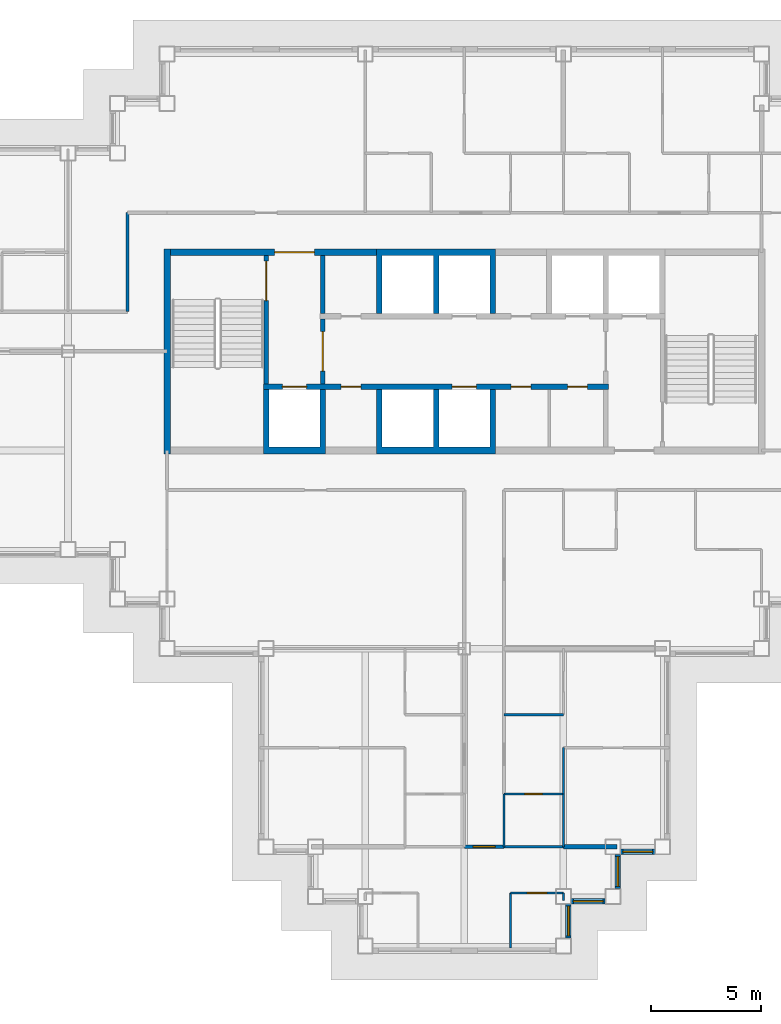
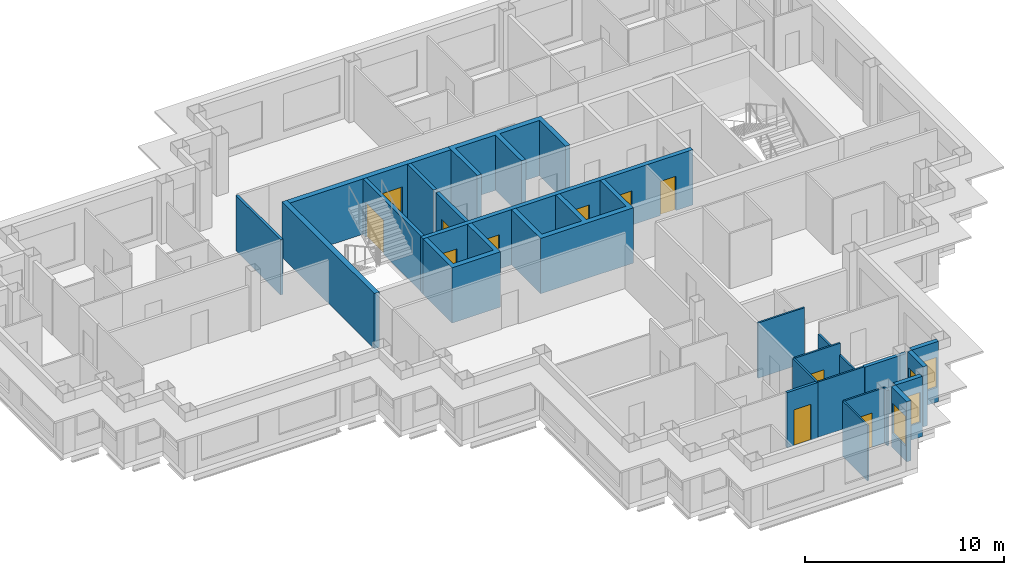
# One storey, part 4 of 12: 25 walls, 11 doors, 4 windows, 15 openings.
"""IFC4 building model written with IfcOpenShell, lengths in metres."""

from ifc_helpers import new_model, si_unit, direction, frame, frame_2d, origin, place, context, subcontext, project, spatial, polyline, rectangle, outline, extrude, material, layer, layer_set, type_object, element, fill, save


model = new_model("IFC4")

# Units and contexts
model_context = context("Model", 3, precision=1e-05, world=origin(), true_north=direction((0.0, 1.0)))
body_context = subcontext(model_context, "Body", "Model", "MODEL_VIEW")
ifc_project = project(units=[si_unit("LENGTHUNIT", "METRE"), si_unit("AREAUNIT", "SQUARE_METRE"), si_unit("VOLUMEUNIT", "CUBIC_METRE"), si_unit("PLANEANGLEUNIT", "RADIAN"), si_unit("MASSUNIT", "GRAM", prefix="KILO")], contexts=[model_context])

# Site, building, storey
site_placement = place(None, origin())
site = spatial("IfcSite", under=ifc_project, at=site_placement, CompositionType="ELEMENT")
building_placement = place(site_placement, origin())
building = spatial("IfcBuilding", under=site, at=building_placement, Name="Caravel Reach Hotel and Residences", CompositionType="ELEMENT")
storey_placement = place(building_placement, frame((0.0, 0.0, 196.10009765625)))
storey = spatial("IfcBuildingStorey", under=building, at=storey_placement, Name="L49", CompositionType="ELEMENT", Elevation=196.10009765625)

# Wall
ifc_material_1 = material(Name="Gypsum board on steel stud", Category="steel")
ifc_layer_1 = layer(ifc_material_1, 0.10009765625)
ifc_layer_set_1 = layer_set([ifc_layer_1], Name="Bathroom pod wall 100 mm")
wall_type_1 = type_object("IfcWallType", Name="Bathroom pod wall 100 mm", PredefinedType="PARTITIONING", material=ifc_layer_set_1)
wall_1_placement = place(storey_placement, frame((33.300048828125, 4.5, 0.0), z_axis=(0.0, 0.0, 1.0), x_axis=(1.0, 0.0, 0.0)))
element("IfcWall", 1, at=wall_1_placement, inside=storey, type_object=wall_type_1, Name="L49 wall w088", PredefinedType="PARTITIONING", context=body_context, shape_type="SweptSolid", body=[
    extrude(rectangle(XDim=2.699951171875, YDim=0.10009765625, at=frame_2d((1.35009765625, 0.0))), origin(), (0.0, 0.0, 1.0), 3.39990234375),
])

# Wall, opening, door
wall_2_placement = place(storey_placement, frame((33.300048828125, 6.89990234375, 0.0), z_axis=(0.0, 0.0, 1.0), x_axis=(1.0, 0.0, 0.0)))
wall_2 = element("IfcWall", 2, at=wall_2_placement, inside=storey, type_object=wall_type_1, Name="L49 wall w090", PredefinedType="PARTITIONING", context=body_context, shape_type="SweptSolid", body=[
    extrude(rectangle(XDim=2.699951171875, YDim=0.10009765625, at=frame_2d((1.35009765625, 0.0))), origin(), (0.0, 0.0, 1.0), 3.39990234375),
])
opening_1_placement = place(wall_2_placement, frame((0.949951171875, 0.0, 0.0)))
opening_1 = element("IfcOpeningElement", 3, at=opening_1_placement, cuts=wall_2, Name="Opening D49-040", PredefinedType="OPENING", context=body_context, shape_type="SweptSolid", body=[
    extrude(rectangle(XDim=0.800048828125, YDim=2.10009765625, at=frame_2d((0.39990234375, 1.050048828125))), frame((0.0, 0.06005859375, 0.0), z_axis=(0.0, -1.0, 0.0), x_axis=(1.0, 0.0, 0.0)), (0.0, 0.0, 1.0), 0.1201171875),
])
ifc_material_2 = material(Name="Timber and steel door leaf", Category="steel")
door_type_1 = type_object("IfcDoorType", Name="Bathroom door 800 x 2100", OperationType="SINGLE_SWING_LEFT", PredefinedType="DOOR", material=ifc_material_2)
door_1_placement = place(opening_1_placement, origin())
door_1 = element("IfcDoor", 4, at=door_1_placement, inside=storey, type_object=door_type_1, Name="door D49-040", OperationType="SINGLE_SWING_LEFT", OverallHeight=2.10009765625, OverallWidth=0.800048828125, PredefinedType="DOOR", context=body_context, shape_type="SweptSolid", body=[
    extrude(rectangle(XDim=0.800048828125, YDim=2.10009765625, at=frame_2d((0.39990234375, 1.050048828125))), frame((0.0, 0.02490234375, 0.0), z_axis=(0.0, -1.0, 0.0), x_axis=(1.0, 0.0, 0.0)), (0.0, 0.0, 1.0), 0.050048828125),
])
fill(opening_1, door_1)

# Walls
wall_3_placement = place(storey_placement, frame((33.300048828125, 4.5, 0.0), z_axis=(0.0, 0.0, 1.0), x_axis=(0.0, 1.0, 0.0)))
element("IfcWall", 5, at=wall_3_placement, inside=storey, type_object=wall_type_1, Name="L49 wall w097", PredefinedType="PARTITIONING", context=body_context, shape_type="SweptSolid", body=[
    extrude(rectangle(XDim=2.39990234375, YDim=0.10009765625, at=frame_2d((1.199951171875, 0.0))), origin(), (0.0, 0.0, 1.0), 3.39990234375),
])
wall_4_placement = place(storey_placement, frame((36.0, 4.5, 0.0), z_axis=(0.0, 0.0, 1.0), x_axis=(0.0, 1.0, 0.0)))
element("IfcWall", 6, at=wall_4_placement, inside=storey, type_object=wall_type_1, Name="L49 wall w100", PredefinedType="PARTITIONING", context=body_context, shape_type="SweptSolid", body=[
    extrude(rectangle(XDim=2.39990234375, YDim=0.10009765625, at=frame_2d((1.199951171875, 0.0))), origin(), (0.0, 0.0, 1.0), 2.679931640625),
])
ifc_material_3 = material(Name="Autoclaved aerated block wall")
ifc_layer_2 = layer(ifc_material_3, 0.199951171875)
ifc_layer_set_2 = layer_set([ifc_layer_2], Name="Compartment wall 200 mm EI 120")
wall_type_2 = type_object("IfcWallType", Name="Compartment wall 200 mm EI 120", PredefinedType="PARTITIONING", material=ifc_layer_set_2)
wall_5_placement = place(storey_placement, frame((25.071533203125, 28.72509765625, 0.0), z_axis=(0.0, 0.0, 1.0), x_axis=(0.0, 1.0, 0.0)))
element("IfcWall", 7, at=wall_5_placement, inside=storey, type_object=wall_type_2, Name="L49 store partition", PredefinedType="PARTITIONING", context=body_context, shape_type="SweptSolid", body=[
    extrude(rectangle(XDim=2.625, YDim=0.199951171875, at=frame_2d((1.3125, 0.0))), origin(), (0.0, 0.0, 1.0), 3.39990234375),
])

# Wall, opening, door
ifc_material_4 = material(Name="Concrete C60", Category="concrete")
ifc_layer_3 = layer(ifc_material_4, 0.300048828125)
ifc_layer_set_3 = layer_set([ifc_layer_3], Name="Core wall 300 mm EI 120")
wall_type_3 = type_object("IfcWallType", Name="Core wall 300 mm EI 120", PredefinedType="SHEAR", material=ifc_layer_set_3)
wall_6_placement = place(storey_placement, frame((18.14990234375, 31.5, 0.0), z_axis=(0.0, 0.0, 1.0), x_axis=(1.0, 0.0, 0.0)))
wall_6 = element("IfcWall", 8, at=wall_6_placement, inside=storey, type_object=wall_type_3, Name="L49 core wall N1", PredefinedType="SHEAR", context=body_context, shape_type="SweptSolid", body=[
    extrude(rectangle(XDim=9.367919921875, YDim=0.300048828125, at=frame_2d((4.68408203125, 0.0))), origin(), (0.0, 0.0, 1.0), 3.39990234375),
])
opening_2_placement = place(wall_6_placement, frame((4.735595703125, 0.0, 0.0)))
opening_2 = element("IfcOpeningElement", 9, at=opening_2_placement, cuts=wall_6, Name="Opening D49-015", PredefinedType="OPENING", context=body_context, shape_type="SweptSolid", body=[
    extrude(rectangle(XDim=1.800048828125, YDim=2.10009765625, at=frame_2d((0.89990234375, 1.050048828125))), frame((0.0, 0.159912109375, 0.0), z_axis=(0.0, -1.0, 0.0), x_axis=(1.0, 0.0, 0.0)), (0.0, 0.0, 1.0), 0.320068359375),
])
ifc_material_5 = material(Name="Steel fire door leaf", Category="steel")
door_type_2 = type_object("IfcDoorType", Name="Fire lobby door pair 1800 x 2100 EI 90", OperationType="DOUBLE_DOOR_SINGLE_SWING", PredefinedType="DOOR", material=ifc_material_5)
door_2_placement = place(opening_2_placement, origin())
door_2 = element("IfcDoor", 10, at=door_2_placement, inside=storey, type_object=door_type_2, Name="lobby N door pair to corridor", OperationType="DOUBLE_DOOR_SINGLE_SWING", OverallHeight=2.10009765625, OverallWidth=1.800048828125, PredefinedType="DOOR", context=body_context, shape_type="SweptSolid", body=[
    extrude(rectangle(XDim=1.800048828125, YDim=2.10009765625, at=frame_2d((0.89990234375, 1.050048828125))), frame((0.0, 0.02490234375, 0.0), z_axis=(0.0, -1.0, 0.0), x_axis=(1.0, 0.0, 0.0)), (0.0, 0.0, 1.0), 0.050048828125),
])
fill(opening_2, door_2)

# Wall
wall_7_placement = place(storey_placement, frame((18.0, 22.35009765625, 0.0), z_axis=(0.0, 0.0, 1.0), x_axis=(0.0, 1.0, 0.0)))
element("IfcWall", 11, at=wall_7_placement, inside=storey, type_object=wall_type_3, Name="L49 core wall W", PredefinedType="SHEAR", context=body_context, shape_type="SweptSolid", body=[
    extrude(rectangle(XDim=9.2998046875, YDim=0.300048828125, at=frame_2d((4.64990234375, 0.0))), origin(), (0.0, 0.0, 1.0), 3.39990234375),
])

# Wall, opening, door
ifc_material_6 = material(Name="Gypsum board on steel stud, fire-rated", Category="steel")
ifc_layer_4 = layer(ifc_material_6, 0.14990234375)
ifc_layer_set_4 = layer_set([ifc_layer_4], Name="Corridor wall 150 mm EI 60")
wall_type_4 = type_object("IfcWallType", Name="Corridor wall 150 mm EI 60", PredefinedType="PARTITIONING", material=ifc_layer_set_4)
wall_8_placement = place(storey_placement, frame((31.5, 4.5, 0.0), z_axis=(0.0, 0.0, 1.0), x_axis=(1.0, 0.0, 0.0)))
wall_8 = element("IfcWall", 12, at=wall_8_placement, inside=storey, type_object=wall_type_4, Name="L49 wall w017", PredefinedType="PARTITIONING", context=body_context, shape_type="SweptSolid", body=[
    extrude(rectangle(XDim=1.800048828125, YDim=0.14990234375, at=frame_2d((0.89990234375, 0.0))), origin(), (0.0, 0.0, 1.0), 3.39990234375),
])
opening_3_placement = place(wall_8_placement, frame((0.39990234375, 0.0, 0.0)))
opening_3 = element("IfcOpeningElement", 13, at=opening_3_placement, cuts=wall_8, Name="Opening D49-049", PredefinedType="OPENING", context=body_context, shape_type="SweptSolid", body=[
    extrude(rectangle(XDim=1.0, YDim=2.199951171875, at=frame_2d((0.5, 1.10009765625))), frame((0.0, 0.0849609375, 0.0), z_axis=(0.0, -1.0, 0.0), x_axis=(1.0, 0.0, 0.0)), (0.0, 0.0, 1.0), 0.169921875),
])
ifc_material_7 = material(Name="Steel fire door leaf", Category="steel")
door_type_3 = type_object("IfcDoorType", Name="Flat entrance door 1000 x 2200 EI 60", OperationType="SINGLE_SWING_LEFT", PredefinedType="DOOR", material=ifc_material_7)
door_3_placement = place(opening_3_placement, origin())
door_3 = element("IfcDoor", 14, at=door_3_placement, inside=storey, type_object=door_type_3, Name="door D49-049", OperationType="SINGLE_SWING_LEFT", OverallHeight=2.199951171875, OverallWidth=1.0, PredefinedType="DOOR", context=body_context, shape_type="SweptSolid", body=[
    extrude(rectangle(XDim=1.0, YDim=2.199951171875, at=frame_2d((0.5, 1.10009765625))), frame((0.0, 0.02490234375, 0.0), z_axis=(0.0, -1.0, 0.0), x_axis=(1.0, 0.0, 0.0)), (0.0, 0.0, 1.0), 0.050048828125),
])
fill(opening_3, door_3)

# Wall
wall_9_placement = place(storey_placement, frame((16.199951171875, 28.801025390625, 0.0), z_axis=(0.0, 0.0, 1.0), x_axis=(0.0, 1.0, 0.0)))
element("IfcWall", 15, at=wall_9_placement, inside=storey, type_object=wall_type_4, Name="L49 wall w018", PredefinedType="PARTITIONING", context=body_context, shape_type="SweptSolid", body=[
    extrude(rectangle(XDim=4.4990234375, YDim=0.14990234375, at=frame_2d((2.24951171875, 0.0))), origin(), (0.0, 0.0, 1.0), 3.39990234375),
])

# Wall, opening, window
ifc_material_8 = material(Name="Insulated rainscreen wall, aluminium cladding", Category="aluminium")
ifc_layer_5 = layer(ifc_material_8, 0.25)
ifc_layer_set_5 = layer_set([ifc_layer_5], Name="EW1 Tower rainscreen wall")
wall_type_5 = type_object("IfcWallType", Name="EW1 Tower rainscreen wall", PredefinedType="SOLIDWALL", material=ifc_layer_set_5)
wall_10_placement = place(storey_placement, frame((36.22509765625, 0.35009765625, 0.0), z_axis=(0.0, 0.0, 1.0), x_axis=(0.0, 1.0, 0.0)))
wall_10 = element("IfcWall", 16, at=wall_10_placement, inside=storey, type_object=wall_type_5, Name="External wall L49 E36.1", PredefinedType="SOLIDWALL", context=body_context, shape_type="SweptSolid", body=[
    extrude(rectangle(XDim=1.5498046875, YDim=0.25, at=frame_2d((0.77490234375, 0.0))), origin(), (0.0, 0.0, 1.0), 3.699951171875),
])
opening_4_placement = place(wall_10_placement, frame((0.10009765625, 0.0, 0.89990234375)))
opening_4 = element("IfcOpeningElement", 17, at=opening_4_placement, cuts=wall_10, Name="Opening WN21", PredefinedType="OPENING", context=body_context, shape_type="SweptSolid", body=[
    extrude(rectangle(XDim=1.35009765625, YDim=1.85009765625, at=frame_2d((0.675048828125, 0.925048828125))), frame((0.0, 0.135009765625, 0.0), z_axis=(0.0, -1.0, 0.0), x_axis=(1.0, 0.0, 0.0)), (0.0, 0.0, 1.0), 0.27001953125),
])
ifc_material_9 = material(Name="Dark low-e glazing in black aluminium frame", Category="aluminium")
window_type = type_object("IfcWindowType", Name="Residence bedroom window 1350 x 1850", PartitioningType="SINGLE_PANEL", PredefinedType="WINDOW", material=ifc_material_9)
window_1_placement = place(opening_4_placement, origin())
window_1 = element("IfcWindow", 18, at=window_1_placement, inside=storey, type_object=window_type, Name="Window L49 E36.1.1", OverallHeight=1.85009765625, OverallWidth=1.35009765625, PartitioningType="SINGLE_PANEL", PredefinedType="WINDOW", context=body_context, shape_type="SweptSolid", body=[
    extrude(rectangle(XDim=1.35009765625, YDim=1.85009765625, at=frame_2d((0.675048828125, 0.925048828125))), frame((0.0, 0.030029296875, 0.0), z_axis=(0.0, -1.0, 0.0), x_axis=(1.0, 0.0, 0.0)), (0.0, 0.0, 1.0), 0.06005859375),
])
fill(opening_4, window_1)

wall_11_placement = place(storey_placement, frame((36.35009765625, 2.02490234375, 0.0), z_axis=(0.0, 0.0, 1.0), x_axis=(1.0, 0.0, 0.0)))
wall_11 = element("IfcWall", 19, at=wall_11_placement, inside=storey, type_object=wall_type_5, Name="External wall L49 S37.1", PredefinedType="SOLIDWALL", context=body_context, shape_type="SweptSolid", body=[
    extrude(rectangle(XDim=1.5498046875, YDim=0.25, at=frame_2d((0.77490234375, 0.0))), origin(), (0.0, 0.0, 1.0), 3.699951171875),
])
opening_5_placement = place(wall_11_placement, frame((0.10009765625, 0.0, 0.89990234375)))
opening_5 = element("IfcOpeningElement", 20, at=opening_5_placement, cuts=wall_11, Name="Opening WN21", PredefinedType="OPENING", context=body_context, shape_type="SweptSolid", body=[
    extrude(rectangle(XDim=1.35009765625, YDim=1.85009765625, at=frame_2d((0.675048828125, 0.925048828125))), frame((0.0, 0.135009765625, 0.0), z_axis=(0.0, -1.0, 0.0), x_axis=(1.0, 0.0, 0.0)), (0.0, 0.0, 1.0), 0.27001953125),
])
window_2_placement = place(opening_5_placement, origin())
window_2 = element("IfcWindow", 21, at=window_2_placement, inside=storey, type_object=window_type, Name="Window L49 S37.1.1", OverallHeight=1.85009765625, OverallWidth=1.35009765625, PartitioningType="SINGLE_PANEL", PredefinedType="WINDOW", context=body_context, shape_type="SweptSolid", body=[
    extrude(rectangle(XDim=1.35009765625, YDim=1.85009765625, at=frame_2d((0.675048828125, 0.925048828125))), frame((0.0, 0.030029296875, 0.0), z_axis=(0.0, -1.0, 0.0), x_axis=(1.0, 0.0, 0.0)), (0.0, 0.0, 1.0), 0.06005859375),
])
fill(opening_5, window_2)

wall_12_placement = place(storey_placement, frame((38.47509765625, 2.60009765625, 0.0), z_axis=(0.0, 0.0, 1.0), x_axis=(0.0, 1.0, 0.0)))
wall_12 = element("IfcWall", 22, at=wall_12_placement, inside=storey, type_object=wall_type_5, Name="External wall L49 E38.1", PredefinedType="SOLIDWALL", context=body_context, shape_type="SweptSolid", body=[
    extrude(rectangle(XDim=1.5498046875, YDim=0.25, at=frame_2d((0.77490234375, 0.0))), origin(), (0.0, 0.0, 1.0), 3.699951171875),
])
opening_6_placement = place(wall_12_placement, frame((0.10009765625, 0.0, 0.89990234375)))
opening_6 = element("IfcOpeningElement", 23, at=opening_6_placement, cuts=wall_12, Name="Opening WN21", PredefinedType="OPENING", context=body_context, shape_type="SweptSolid", body=[
    extrude(rectangle(XDim=1.35009765625, YDim=1.85009765625, at=frame_2d((0.675048828125, 0.925048828125))), frame((0.0, 0.135009765625, 0.0), z_axis=(0.0, -1.0, 0.0), x_axis=(1.0, 0.0, 0.0)), (0.0, 0.0, 1.0), 0.27001953125),
])
window_3_placement = place(opening_6_placement, origin())
window_3 = element("IfcWindow", 24, at=window_3_placement, inside=storey, type_object=window_type, Name="Window L49 E38.1.1", OverallHeight=1.85009765625, OverallWidth=1.35009765625, PartitioningType="SINGLE_PANEL", PredefinedType="WINDOW", context=body_context, shape_type="SweptSolid", body=[
    extrude(rectangle(XDim=1.35009765625, YDim=1.85009765625, at=frame_2d((0.675048828125, 0.925048828125))), frame((0.0, 0.030029296875, 0.0), z_axis=(0.0, -1.0, 0.0), x_axis=(1.0, 0.0, 0.0)), (0.0, 0.0, 1.0), 0.06005859375),
])
fill(opening_6, window_3)

wall_13_placement = place(storey_placement, frame((38.60009765625, 4.27490234375, 0.0), z_axis=(0.0, 0.0, 1.0), x_axis=(1.0, 0.0, 0.0)))
wall_13 = element("IfcWall", 25, at=wall_13_placement, inside=storey, type_object=wall_type_5, Name="External wall L49 S39.1", PredefinedType="SOLIDWALL", context=body_context, shape_type="SweptSolid", body=[
    extrude(rectangle(XDim=1.5498046875, YDim=0.25, at=frame_2d((0.77490234375, 0.0))), origin(), (0.0, 0.0, 1.0), 3.699951171875),
])
opening_7_placement = place(wall_13_placement, frame((0.10009765625, 0.0, 0.89990234375)))
opening_7 = element("IfcOpeningElement", 26, at=opening_7_placement, cuts=wall_13, Name="Opening WN21", PredefinedType="OPENING", context=body_context, shape_type="SweptSolid", body=[
    extrude(rectangle(XDim=1.35009765625, YDim=1.85009765625, at=frame_2d((0.675048828125, 0.925048828125))), frame((0.0, 0.135009765625, 0.0), z_axis=(0.0, -1.0, 0.0), x_axis=(1.0, 0.0, 0.0)), (0.0, 0.0, 1.0), 0.27001953125),
])
window_4_placement = place(opening_7_placement, origin())
window_4 = element("IfcWindow", 27, at=window_4_placement, inside=storey, type_object=window_type, Name="Window L49 S39.1.1", OverallHeight=1.85009765625, OverallWidth=1.35009765625, PartitioningType="SINGLE_PANEL", PredefinedType="WINDOW", context=body_context, shape_type="SweptSolid", body=[
    extrude(rectangle(XDim=1.35009765625, YDim=1.85009765625, at=frame_2d((0.675048828125, 0.925048828125))), frame((0.0, 0.030029296875, 0.0), z_axis=(0.0, -1.0, 0.0), x_axis=(1.0, 0.0, 0.0)), (0.0, 0.0, 1.0), 0.06005859375),
])
fill(opening_7, window_4)

# Wall, opening, door
ifc_material_10 = material(Name="Autoclaved aerated block wall")
ifc_layer_6 = layer(ifc_material_10, 0.199951171875)
ifc_layer_set_6 = layer_set([ifc_layer_6], Name="Fire lobby wall 200 mm EI 120")
wall_type_6 = type_object("IfcWallType", Name="Fire lobby wall 200 mm EI 120", PredefinedType="PARTITIONING", material=ifc_layer_set_6)
wall_14_placement = place(storey_placement, frame((25.071533203125, 25.52490234375, 0.0), z_axis=(0.0, 0.0, 1.0), x_axis=(0.0, 1.0, 0.0)))
wall_14 = element("IfcWall", 28, at=wall_14_placement, inside=storey, type_object=wall_type_6, Name="L49 lobby W wall", PredefinedType="PARTITIONING", context=body_context, shape_type="SweptSolid", body=[
    extrude(rectangle(XDim=2.9501953125, YDim=0.199951171875, at=frame_2d((1.47509765625, 0.0))), origin(), (0.0, 0.0, 1.0), 3.39990234375),
])
opening_8_placement = place(wall_14_placement, frame((0.574951171875, 0.0, 0.0)))
opening_8 = element("IfcOpeningElement", 29, at=opening_8_placement, cuts=wall_14, Name="Opening D49-013", PredefinedType="OPENING", context=body_context, shape_type="SweptSolid", body=[
    extrude(rectangle(XDim=1.800048828125, YDim=2.10009765625, at=frame_2d((0.89990234375, 1.050048828125))), frame((0.0, 0.10986328125, 0.0), z_axis=(0.0, -1.0, 0.0), x_axis=(1.0, 0.0, 0.0)), (0.0, 0.0, 1.0), 0.219970703125),
])
door_4_placement = place(opening_8_placement, origin())
door_4 = element("IfcDoor", 30, at=door_4_placement, inside=storey, type_object=door_type_2, Name="lobby W door pair", OperationType="DOUBLE_DOOR_SINGLE_SWING", OverallHeight=2.10009765625, OverallWidth=1.800048828125, PredefinedType="DOOR", context=body_context, shape_type="SweptSolid", body=[
    extrude(rectangle(XDim=1.800048828125, YDim=2.10009765625, at=frame_2d((0.89990234375, 1.050048828125))), frame((0.0, 0.02490234375, 0.0), z_axis=(0.0, -1.0, 0.0), x_axis=(1.0, 0.0, 0.0)), (0.0, 0.0, 1.0), 0.050048828125),
])
fill(opening_8, door_4)

# Wall
ifc_material_11 = material(Name="Gypsum board on steel stud", Category="steel")
ifc_layer_7 = layer(ifc_material_11, 0.10009765625)
ifc_layer_set_7 = layer_set([ifc_layer_7], Name="Partition 100 mm")
wall_type_7 = type_object("IfcWallType", Name="Partition 100 mm", PredefinedType="PARTITIONING", material=ifc_layer_set_7)
wall_15_placement = place(storey_placement, frame((33.300048828125, 10.5, 0.0), z_axis=(0.0, 0.0, 1.0), x_axis=(1.0, 0.0, 0.0)))
element("IfcWall", 31, at=wall_15_placement, inside=storey, type_object=wall_type_7, Name="L49 wall w028", PredefinedType="PARTITIONING", context=body_context, shape_type="SweptSolid", body=[
    extrude(rectangle(XDim=2.699951171875, YDim=0.10009765625, at=frame_2d((1.35009765625, 0.0))), origin(), (0.0, 0.0, 1.0), 3.39990234375),
])

# Wall, opening, door
wall_16_placement = place(storey_placement, frame((33.60009765625, 2.39990234375, 0.0), z_axis=(0.0, 0.0, 1.0), x_axis=(1.0, 0.0, 0.0)))
wall_16 = element("IfcWall", 32, at=wall_16_placement, inside=storey, type_object=wall_type_7, Name="L49 wall w033", PredefinedType="PARTITIONING", context=body_context, shape_type="SweptSolid", body=[
    extrude(rectangle(XDim=2.39990234375, YDim=0.10009765625, at=frame_2d((1.199951171875, 0.0))), origin(), (0.0, 0.0, 1.0), 3.39990234375),
])
opening_9_placement = place(wall_16_placement, frame((0.75, 0.0, 0.0)))
opening_9 = element("IfcOpeningElement", 33, at=opening_9_placement, cuts=wall_16, Name="Opening D49-051", PredefinedType="OPENING", context=body_context, shape_type="SweptSolid", body=[
    extrude(rectangle(XDim=0.89990234375, YDim=2.10009765625, at=frame_2d((0.449951171875, 1.050048828125))), frame((0.0, 0.06005859375, 0.0), z_axis=(0.0, -1.0, 0.0), x_axis=(1.0, 0.0, 0.0)), (0.0, 0.0, 1.0), 0.1201171875),
])
ifc_material_12 = material(Name="Timber and steel door leaf", Category="steel")
door_type_4 = type_object("IfcDoorType", Name="Door 900 x 2100 timber", OperationType="SINGLE_SWING_LEFT", PredefinedType="DOOR", material=ifc_material_12)
door_5_placement = place(opening_9_placement, origin())
door_5 = element("IfcDoor", 34, at=door_5_placement, inside=storey, type_object=door_type_4, Name="door D49-051", OperationType="SINGLE_SWING_LEFT", OverallHeight=2.10009765625, OverallWidth=0.89990234375, PredefinedType="DOOR", context=body_context, shape_type="SweptSolid", body=[
    extrude(rectangle(XDim=0.89990234375, YDim=2.10009765625, at=frame_2d((0.449951171875, 1.050048828125))), frame((0.0, 0.02490234375, 0.0), z_axis=(0.0, -1.0, 0.0), x_axis=(1.0, 0.0, 0.0)), (0.0, 0.0, 1.0), 0.050048828125),
])
fill(opening_9, door_5)

# Walls
wall_17_placement = place(storey_placement, frame((33.60009765625, -0.10009765625, 0.0), z_axis=(0.0, 0.0, 1.0), x_axis=(0.0, 1.0, 0.0)))
element("IfcWall", 35, at=wall_17_placement, inside=storey, type_object=wall_type_7, Name="L49 wall w059", PredefinedType="PARTITIONING", context=body_context, shape_type="SweptSolid", body=[
    extrude(rectangle(XDim=2.5, YDim=0.10009765625, at=frame_2d((1.25, 0.0))), origin(), (0.0, 0.0, 1.0), 3.39990234375),
])
wall_18_placement = place(storey_placement, frame((36.0, 6.89990234375, 0.0), z_axis=(0.0, 0.0, 1.0), x_axis=(0.0, 1.0, 0.0)))
element("IfcWall", 36, at=wall_18_placement, inside=storey, type_object=wall_type_7, Name="L49 wall w060", PredefinedType="PARTITIONING", context=body_context, shape_type="SweptSolid", body=[
    extrude(rectangle(XDim=2.10009765625, YDim=0.10009765625, at=frame_2d((1.050048828125, 0.0))), origin(), (0.0, 0.0, 1.0), 2.679931640625),
])
wall_19_placement = place(storey_placement, frame((36.0, 2.06005859375, 0.0), z_axis=(0.0, 0.0, 1.0), x_axis=(0.0, 1.0, 0.0)))
element("IfcWall", 37, at=wall_19_placement, inside=storey, type_object=wall_type_7, Name="L49 wall w062", PredefinedType="PARTITIONING", context=body_context, shape_type="SweptSolid", body=[
    extrude(rectangle(XDim=0.33984375, YDim=0.10009765625, at=frame_2d((0.169921875, 0.0))), origin(), (0.0, 0.0, 1.0), 3.39990234375),
])
ifc_material_13 = material(Name="Autoclaved aerated block wall")
ifc_layer_8 = layer(ifc_material_13, 0.199951171875)
ifc_layer_set_8 = layer_set([ifc_layer_8], Name="Party wall 200 mm EI 60")
wall_type_8 = type_object("IfcWallType", Name="Party wall 200 mm EI 60", PredefinedType="PARTITIONING", material=ifc_layer_set_8)
wall_20_placement = place(storey_placement, frame((36.0, 4.5, 0.0), z_axis=(0.0, 0.0, 1.0), x_axis=(1.0, 0.0, 0.0)))
element("IfcWall", 38, at=wall_20_placement, inside=storey, type_object=wall_type_8, Name="L49 wall w072", PredefinedType="PARTITIONING", context=body_context, shape_type="SweptSolid", body=[
    extrude(rectangle(XDim=2.43994140625, YDim=0.199951171875, at=frame_2d((1.219970703125, 0.0))), origin(), (0.0, 0.0, 1.0), 3.39990234375),
])
ifc_material_14 = material(Name="Concrete C60", Category="concrete")
ifc_layer_9 = layer(ifc_material_14, 0.25)
ifc_layer_set_9 = layer_set([ifc_layer_9], Name="Shaft wall 250 mm EI 120")
wall_type_9 = type_object("IfcWallType", Name="Shaft wall 250 mm EI 120", PredefinedType="SHEAR", material=ifc_layer_set_9)
wall_21_placement = place(storey_placement, origin())
element("IfcWall", 39, at=wall_21_placement, inside=storey, type_object=wall_type_9, Name="L49 lift shaft wall S1", PredefinedType="SHEAR", context=body_context, shape_type="SweptSolid", body=[
    extrude(outline(polyline([(22.375, 22.35009765625), (25.196533203125, 22.35009765625), (25.196533203125, 25.27490234375), (24.946533203125, 25.27490234375), (24.946533203125, 22.64990234375), (22.625, 22.64990234375), (22.625, 25.27490234375), (22.375, 25.27490234375), (22.375, 22.35009765625)])), origin(), (0.0, 0.0, 1.0), 3.39990234375),
])
wall_22_placement = place(storey_placement, origin())
element("IfcWall", 40, at=wall_22_placement, inside=storey, type_object=wall_type_9, Name="L49 lift shaft wall S2", PredefinedType="SHEAR", context=body_context, shape_type="SweptSolid", body=[
    extrude(outline(polyline([(27.517822265625, 22.35009765625), (32.91064453125, 22.35009765625), (32.91064453125, 25.27490234375), (32.66064453125, 25.27490234375), (32.66064453125, 22.64990234375), (30.33935546875, 22.64990234375), (30.33935546875, 25.27490234375), (30.08935546875, 25.27490234375), (30.08935546875, 22.64990234375), (27.767822265625, 22.64990234375), (27.767822265625, 25.27490234375), (27.517822265625, 25.27490234375), (27.517822265625, 22.35009765625)])), origin(), (0.0, 0.0, 1.0), 3.39990234375),
])
wall_23_placement = place(storey_placement, origin())
element("IfcWall", 41, at=wall_23_placement, inside=storey, type_object=wall_type_9, Name="L49 lift shaft wall N1", PredefinedType="SHEAR", context=body_context, shape_type="SweptSolid", body=[
    extrude(outline(polyline([(27.517822265625, 28.72509765625), (27.767822265625, 28.72509765625), (27.767822265625, 31.35009765625), (30.08935546875, 31.35009765625), (30.08935546875, 28.72509765625), (30.33935546875, 28.72509765625), (30.33935546875, 31.35009765625), (32.66064453125, 31.35009765625), (32.66064453125, 28.72509765625), (32.91064453125, 28.72509765625), (32.91064453125, 31.64990234375), (27.517822265625, 31.64990234375), (27.517822265625, 28.72509765625)])), origin(), (0.0, 0.0, 1.0), 3.39990234375),
])

# Wall, openings, doors
wall_24_placement = place(storey_placement, frame((22.375, 25.39990234375, 0.0), z_axis=(0.0, 0.0, 1.0), x_axis=(1.0, 0.0, 0.0)))
wall_24 = element("IfcWall", 42, at=wall_24_placement, inside=storey, type_object=wall_type_9, Name="L49 lobby wall S1", PredefinedType="SHEAR", context=body_context, shape_type="SweptSolid", body=[
    extrude(rectangle(XDim=15.678466796875, YDim=0.25, at=frame_2d((7.83935546875, 0.0))), origin(), (0.0, 0.0, 1.0), 3.39990234375),
])
opening_10_placement = place(wall_24_placement, frame((8.574951171875, 0.0, 0.0)))
opening_10 = element("IfcOpeningElement", 43, at=opening_10_placement, cuts=wall_24, Name="Opening D49-001", PredefinedType="OPENING", context=body_context, shape_type="SweptSolid", body=[
    extrude(rectangle(XDim=1.10009765625, YDim=2.10009765625, at=frame_2d((0.550048828125, 1.050048828125))), frame((0.0, 0.135009765625, 0.0), z_axis=(0.0, -1.0, 0.0), x_axis=(1.0, 0.0, 0.0)), (0.0, 0.0, 1.0), 0.27001953125),
])
opening_11_placement = place(wall_24_placement, frame((0.860595703125, 0.0, 0.0)))
opening_11 = element("IfcOpeningElement", 44, at=opening_11_placement, cuts=wall_24, Name="Opening D49-004", PredefinedType="OPENING", context=body_context, shape_type="SweptSolid", body=[
    extrude(rectangle(XDim=1.10009765625, YDim=2.10009765625, at=frame_2d((0.550048828125, 1.050048828125))), frame((0.0, 0.135009765625, 0.0), z_axis=(0.0, -1.0, 0.0), x_axis=(1.0, 0.0, 0.0)), (0.0, 0.0, 1.0), 0.27001953125),
])
opening_12_placement = place(wall_24_placement, frame((3.531982421875, 0.0, 0.0)))
opening_12 = element("IfcOpeningElement", 45, at=opening_12_placement, cuts=wall_24, Name="Opening D49-006", PredefinedType="OPENING", context=body_context, shape_type="SweptSolid", body=[
    extrude(rectangle(XDim=0.89990234375, YDim=2.10009765625, at=frame_2d((0.449951171875, 1.050048828125))), frame((0.0, 0.135009765625, 0.0), z_axis=(0.0, -1.0, 0.0), x_axis=(1.0, 0.0, 0.0)), (0.0, 0.0, 1.0), 0.27001953125),
])
opening_13_placement = place(wall_24_placement, frame((11.246337890625, 0.0, 0.0)))
opening_13 = element("IfcOpeningElement", 46, at=opening_13_placement, cuts=wall_24, Name="Opening D49-007", PredefinedType="OPENING", context=body_context, shape_type="SweptSolid", body=[
    extrude(rectangle(XDim=0.89990234375, YDim=2.10009765625, at=frame_2d((0.449951171875, 1.050048828125))), frame((0.0, 0.135009765625, 0.0), z_axis=(0.0, -1.0, 0.0), x_axis=(1.0, 0.0, 0.0)), (0.0, 0.0, 1.0), 0.27001953125),
])
opening_14_placement = place(wall_24_placement, frame((13.81787109375, 0.0, 0.0)))
opening_14 = element("IfcOpeningElement", 47, at=opening_14_placement, cuts=wall_24, Name="Opening D49-008", PredefinedType="OPENING", context=body_context, shape_type="SweptSolid", body=[
    extrude(rectangle(XDim=0.89990234375, YDim=2.10009765625, at=frame_2d((0.449951171875, 1.050048828125))), frame((0.0, 0.135009765625, 0.0), z_axis=(0.0, -1.0, 0.0), x_axis=(1.0, 0.0, 0.0)), (0.0, 0.0, 1.0), 0.27001953125),
])
ifc_material_15 = material(Name="Stainless steel landing door", Category="steel")
door_type_5 = type_object("IfcDoorType", Name="Landing door LD 1100 x 2100 sliding", OperationType="DOUBLE_DOOR_SLIDING", PredefinedType="DOOR", material=ifc_material_15)
door_6_placement = place(opening_10_placement, origin())
door_6 = element("IfcDoor", 48, at=door_6_placement, inside=storey, type_object=door_type_5, Name="MP1 landing door", OperationType="DOUBLE_DOOR_SLIDING", OverallHeight=2.10009765625, OverallWidth=1.10009765625, PredefinedType="DOOR", context=body_context, shape_type="SweptSolid", body=[
    extrude(rectangle(XDim=1.10009765625, YDim=2.10009765625, at=frame_2d((0.550048828125, 1.050048828125))), frame((0.0, 0.02490234375, 0.0), z_axis=(0.0, -1.0, 0.0), x_axis=(1.0, 0.0, 0.0)), (0.0, 0.0, 1.0), 0.050048828125),
])
fill(opening_10, door_6)
door_7_placement = place(opening_11_placement, origin())
door_7 = element("IfcDoor", 49, at=door_7_placement, inside=storey, type_object=door_type_5, Name="FL1 landing door", OperationType="DOUBLE_DOOR_SLIDING", OverallHeight=2.10009765625, OverallWidth=1.10009765625, PredefinedType="DOOR", context=body_context, shape_type="SweptSolid", body=[
    extrude(rectangle(XDim=1.10009765625, YDim=2.10009765625, at=frame_2d((0.550048828125, 1.050048828125))), frame((0.0, 0.02490234375, 0.0), z_axis=(0.0, -1.0, 0.0), x_axis=(1.0, 0.0, 0.0)), (0.0, 0.0, 1.0), 0.050048828125),
])
fill(opening_11, door_7)
ifc_material_16 = material(Name="Steel fire door leaf", Category="steel")
door_type_6 = type_object("IfcDoorType", Name="Riser door 900 x 2100 EI 60", OperationType="SINGLE_SWING_LEFT", PredefinedType="DOOR", material=ifc_material_16)
door_8_placement = place(opening_12_placement, origin())
door_8 = element("IfcDoor", 50, at=door_8_placement, inside=storey, type_object=door_type_6, Name="Water tank room door", OperationType="SINGLE_SWING_LEFT", OverallHeight=2.10009765625, OverallWidth=0.89990234375, PredefinedType="DOOR", context=body_context, shape_type="SweptSolid", body=[
    extrude(rectangle(XDim=0.89990234375, YDim=2.10009765625, at=frame_2d((0.449951171875, 1.050048828125))), frame((0.0, 0.02490234375, 0.0), z_axis=(0.0, -1.0, 0.0), x_axis=(1.0, 0.0, 0.0)), (0.0, 0.0, 1.0), 0.050048828125),
])
fill(opening_12, door_8)
door_9_placement = place(opening_13_placement, origin())
door_9 = element("IfcDoor", 51, at=door_9_placement, inside=storey, type_object=door_type_6, Name="Telecom room door", OperationType="SINGLE_SWING_LEFT", OverallHeight=2.10009765625, OverallWidth=0.89990234375, PredefinedType="DOOR", context=body_context, shape_type="SweptSolid", body=[
    extrude(rectangle(XDim=0.89990234375, YDim=2.10009765625, at=frame_2d((0.449951171875, 1.050048828125))), frame((0.0, 0.02490234375, 0.0), z_axis=(0.0, -1.0, 0.0), x_axis=(1.0, 0.0, 0.0)), (0.0, 0.0, 1.0), 0.050048828125),
])
fill(opening_13, door_9)
door_10_placement = place(opening_14_placement, origin())
door_10 = element("IfcDoor", 52, at=door_10_placement, inside=storey, type_object=door_type_6, Name="Recycling store door", OperationType="SINGLE_SWING_LEFT", OverallHeight=2.10009765625, OverallWidth=0.89990234375, PredefinedType="DOOR", context=body_context, shape_type="SweptSolid", body=[
    extrude(rectangle(XDim=0.89990234375, YDim=2.10009765625, at=frame_2d((0.449951171875, 1.050048828125))), frame((0.0, 0.02490234375, 0.0), z_axis=(0.0, -1.0, 0.0), x_axis=(1.0, 0.0, 0.0)), (0.0, 0.0, 1.0), 0.050048828125),
])
fill(opening_14, door_10)

# Wall, opening, door
ifc_material_17 = material(Name="Concrete C60", Category="concrete")
ifc_layer_10 = layer(ifc_material_17, 0.199951171875)
ifc_layer_set_10 = layer_set([ifc_layer_10], Name="Stair enclosure wall 200 mm EI 120")
wall_type_10 = type_object("IfcWallType", Name="Stair enclosure wall 200 mm EI 120", PredefinedType="SHEAR", material=ifc_layer_set_10)
wall_25_placement = place(storey_placement, frame((22.5, 31.35009765625, 0.0), z_axis=(0.0, 0.0, 1.0), x_axis=(0.0, -1.0, 0.0)))
wall_25 = element("IfcWall", 53, at=wall_25_placement, inside=storey, type_object=wall_type_10, Name="L49 stair A wall", PredefinedType="SHEAR", context=body_context, shape_type="SweptSolid", body=[
    extrude(rectangle(XDim=5.8251953125, YDim=0.199951171875, at=frame_2d((2.91259765625, 0.0))), origin(), (0.0, 0.0, 1.0), 3.39990234375),
])
opening_15_placement = place(wall_25_placement, frame((0.25, 0.0, 0.0)))
opening_15 = element("IfcOpeningElement", 54, at=opening_15_placement, cuts=wall_25, Name="Opening D49-011", PredefinedType="OPENING", context=body_context, shape_type="SweptSolid", body=[
    extrude(rectangle(XDim=1.800048828125, YDim=2.10009765625, at=frame_2d((0.89990234375, 1.050048828125))), frame((0.0, 0.10986328125, 0.0), z_axis=(0.0, -1.0, 0.0), x_axis=(1.0, 0.0, 0.0)), (0.0, 0.0, 1.0), 0.219970703125),
])
ifc_material_18 = material(Name="Steel fire door leaf", Category="steel")
door_type_7 = type_object("IfcDoorType", Name="Stair door pair 1800 x 2100 EI 90", OperationType="DOUBLE_DOOR_SINGLE_SWING", PredefinedType="DOOR", material=ifc_material_18)
door_11_placement = place(opening_15_placement, origin())
door_11 = element("IfcDoor", 55, at=door_11_placement, inside=storey, type_object=door_type_7, Name="stair A door pair", OperationType="DOUBLE_DOOR_SINGLE_SWING", OverallHeight=2.10009765625, OverallWidth=1.800048828125, PredefinedType="DOOR", context=body_context, shape_type="SweptSolid", body=[
    extrude(rectangle(XDim=1.800048828125, YDim=2.10009765625, at=frame_2d((0.89990234375, 1.050048828125))), frame((0.0, 0.02490234375, 0.0), z_axis=(0.0, -1.0, 0.0), x_axis=(1.0, 0.0, 0.0)), (0.0, 0.0, 1.0), 0.050048828125),
])
fill(opening_15, door_11)

save(model, "model.ifc")
